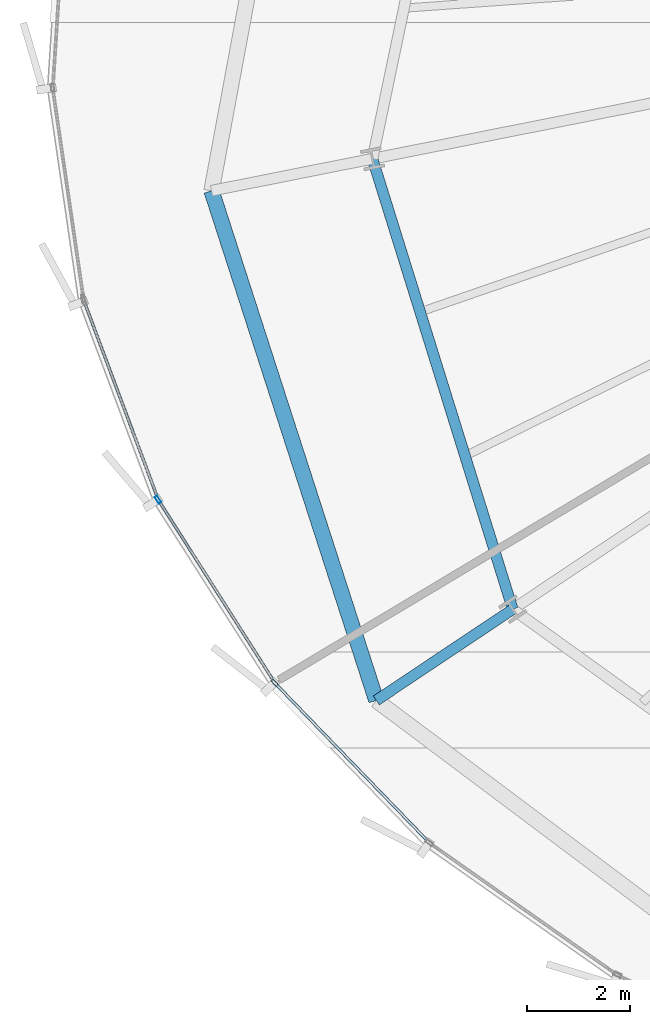
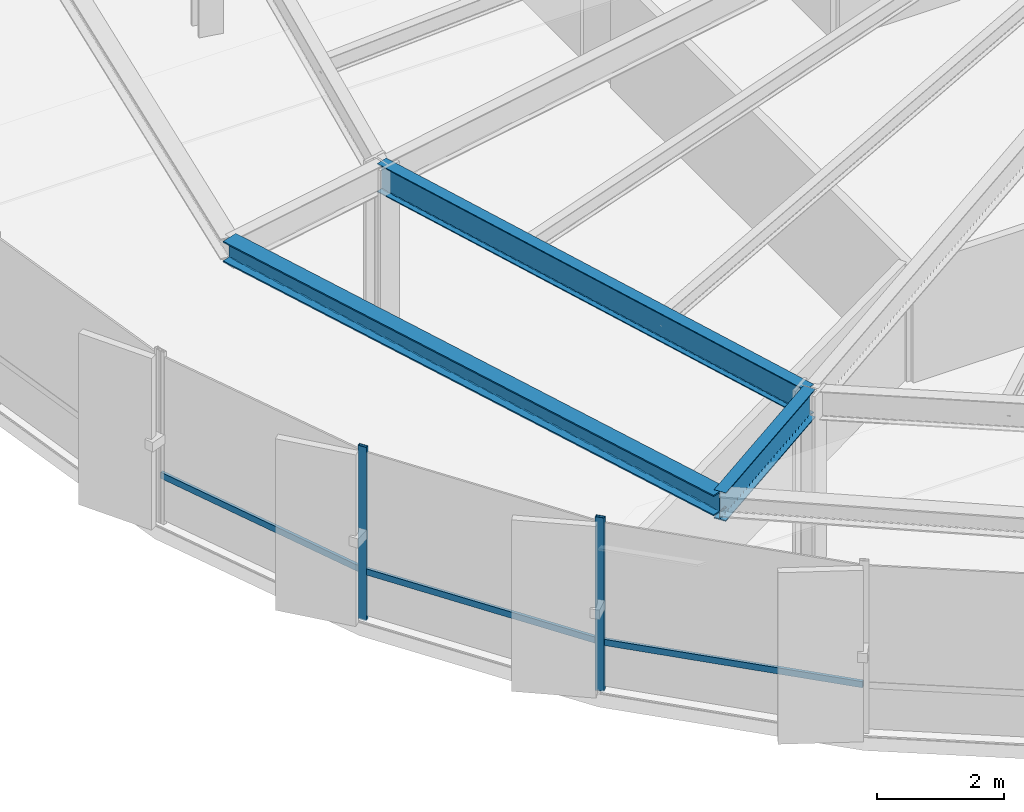
# One storey, part 3 of 35: 5 members, 3 beams, 1 element without a shape of its own.
"""IFC4 building model written with IfcOpenShell, lengths in metres."""

from ifc_helpers import new_model, si_unit, direction, frame, origin, origin_2d, place, context, subcontext, project, spatial, hollow_rectangle, i_section, extrude, source, transform, mapped, material, layer, layer_set, material_profile, profile_set, type_object, element, aggregate, save


model = new_model("IFC4")

# Units and contexts
model_context = context("Model", 3, precision=1e-05, world=origin(), true_north=direction((0.0, 1.0)))
body_context = subcontext(model_context, "Body", "Model", "MODEL_VIEW")
ifc_project = project(units=[si_unit("LENGTHUNIT", "METRE"), si_unit("AREAUNIT", "SQUARE_METRE"), si_unit("VOLUMEUNIT", "CUBIC_METRE"), si_unit("PLANEANGLEUNIT", "RADIAN"), si_unit("MASSUNIT", "GRAM", prefix="KILO"), si_unit("THERMODYNAMICTEMPERATUREUNIT", "KELVIN")], contexts=[model_context])

# Site, building, storey
site_placement = place(None, origin())
site = spatial("IfcSite", under=ifc_project, at=site_placement, CompositionType="ELEMENT")
building_placement = place(site_placement, origin())
building = spatial("IfcBuilding", under=site, at=building_placement, Name="Kethvar Cultural Tower", CompositionType="ELEMENT")
storey_placement = place(building_placement, frame((0.0, 0.0, 92.800048828125)))
storey = spatial("IfcBuildingStorey", under=building, at=storey_placement, Name="L22", CompositionType="ELEMENT", Elevation=92.800048828125)

# Beams
ifc_material_1 = material(Name="Steel S355J2", Category="steel")
ifc_material_profile_1 = material_profile(ifc_material_1, i_section(OverallWidth=0.2099609375, OverallDepth=0.550048828125, WebThickness=0.010986328125, FlangeThickness=0.01708984375, FilletRadius=0.02392578125, at=origin_2d()), Name="Steel S355J2 — IPE550")
ifc_profile_set_1 = profile_set([ifc_material_profile_1], Name="Steel S355J2 — IPE550")
beam_type_1 = type_object("IfcBeamType", Name="BM-IPE550", PredefinedType="BEAM", material=ifc_profile_set_1)
shared_shape_1 = source(origin(), body_context, "Body", "SweptSolid", [
    extrude(i_section(OverallWidth=0.2099609375, OverallDepth=0.550048828125, WebThickness=0.010986328125, FlangeThickness=0.01708984375, FilletRadius=0.02392578125, at=origin_2d()), origin(), (0.0, 0.0, 1.0), 3.199951171875),
])
beam_1_placement = place(storey_placement, frame((26.920654296875, 14.51708984375, 3.072998046875), z_axis=(-0.831462943996, -0.555580212716, 0.0), x_axis=(0.555580212716, -0.831462943996, 0.0)))
element("IfcBeam", 1, at=beam_1_placement, inside=storey, type_object=beam_type_1, Name="L22 Perimeter Cantilever Beam RC-10", PredefinedType="BEAM", context=body_context, shape_type="MappedRepresentation", body=[
    mapped(shared_shape_1, transform((0.0, 0.0, 0.0), scale=1.0)),
])
shared_shape_2 = source(origin(), body_context, "Body", "SweptSolid", [
    extrude(i_section(OverallWidth=0.2099609375, OverallDepth=0.550048828125, WebThickness=0.010986328125, FlangeThickness=0.01708984375, FilletRadius=0.02392578125, at=origin_2d()), origin(), (0.0, 0.0, 1.0), 9.20068359375),
])
beam_2_placement = place(storey_placement, frame((24.185302734375, 23.3017578125, 3.072998046875), z_axis=(0.297298800285, -0.954784490526, 0.0), x_axis=(0.954784490526, 0.297298800285, 0.0)))
element("IfcBeam", 2, at=beam_2_placement, inside=storey, type_object=beam_type_1, Name="L22 Column Ring Tie Beam CR-09", PredefinedType="BEAM", context=body_context, shape_type="MappedRepresentation", body=[
    mapped(shared_shape_2, transform((0.0, 0.0, 0.0), scale=1.0)),
])
ifc_material_profile_2 = material_profile(ifc_material_1, i_section(OverallWidth=0.300048828125, OverallDepth=0.39990234375, WebThickness=0.013427734375, FlangeThickness=0.02392578125, FilletRadius=0.027099609375, at=origin_2d()), Name="Steel S355J2 — HEB400")
ifc_profile_set_2 = profile_set([ifc_material_profile_2], Name="Steel S355J2 — HEB400")
beam_type_2 = type_object("IfcBeamType", Name="BM-SP400", PredefinedType="SPANDREL", material=ifc_profile_set_2)
shared_shape_3 = source(origin(), body_context, "Body", "SweptSolid", [
    extrude(i_section(OverallWidth=0.300048828125, OverallDepth=0.39990234375, WebThickness=0.013427734375, FlangeThickness=0.02392578125, FilletRadius=0.027099609375, at=origin_2d()), origin(), (0.0, 0.0, 1.0), 10.44482421875),
])
beam_3_placement = place(storey_placement, frame((21.046875, 22.677490234375, 3.14794921875), z_axis=(0.307631709258, -0.951505507845, 0.0), x_axis=(0.951505507845, 0.307631709258, 0.0)))
element("IfcBeam", 3, at=beam_3_placement, inside=storey, type_object=beam_type_2, Name="L22 Perimeter Spandrel Beam SP-09", PredefinedType="SPANDREL", context=body_context, shape_type="MappedRepresentation", body=[
    mapped(shared_shape_3, transform((0.0, 0.0, 0.0), scale=1.0)),
])

# Curtain wall, members
ifc_material_2 = material(Name="Aluminium 6063-T6", Category="aluminium")
ifc_layer = layer(ifc_material_2, 0.179931640625, Name="Aluminium 6063-T6", Category="aluminium")
ifc_layer_set = layer_set([ifc_layer], Name="Aluminium 6063-T6 (180 mm)")
curtain_wall_type = type_object("IfcCurtainWallType", Name="CW-SYS-03-Z2", PredefinedType="NOTDEFINED", material=ifc_layer_set)
curtain_wall_placement = place(storey_placement, origin())
curtain_wall = element("IfcCurtainWall", 4, at=curtain_wall_placement, inside=storey, type_object=curtain_wall_type, Name="L22 Curtain Wall Run 04", PredefinedType="NOTDEFINED")
ifc_material_profile_3 = material_profile(ifc_material_2, hollow_rectangle(XDim=0.06005859375, YDim=0.14990234375, WallThickness=0.0048828125, at=origin_2d()), Name="Aluminium 6063-T6 — RHS150x60x5")
ifc_profile_set_3 = profile_set([ifc_material_profile_3], Name="Aluminium 6063-T6 — RHS150x60x5")
member_type_1 = type_object("IfcMemberType", Name="CW-SYS-03-Z2-MUL", PredefinedType="MULLION", material=ifc_profile_set_3)
shared_shape_4 = source(origin(), body_context, "Body", "SweptSolid", [
    extrude(hollow_rectangle(XDim=0.06005859375, YDim=0.14990234375, WallThickness=0.0048828125, at=origin_2d()), origin(), (0.0, 0.0, 1.0), 3.349853515625),
])
member_1_placement = place(storey_placement, frame((20.00537109375, 16.654052734375, 0.0), z_axis=(0.0, 0.0, 1.0), x_axis=(0.843391445813, 0.537299608347, 0.0)))
member_1 = element("IfcMember", 5, at=member_1_placement, type_object=member_type_1, Name="CW-L22-R04 Mullion 2", PredefinedType="MULLION", context=body_context, shape_type="MappedRepresentation", body=[
    mapped(shared_shape_4, transform((0.0, 0.0, 0.0), scale=1.0)),
])
member_2_placement = place(storey_placement, frame((22.275390625, 13.08642578125, 0.0), z_axis=(0.0, 0.0, 1.0), x_axis=(0.718951717744, 0.695060017231, 0.0)))
member_2 = element("IfcMember", 6, at=member_2_placement, type_object=member_type_1, Name="CW-L22-R04 Mullion 3", PredefinedType="MULLION", context=body_context, shape_type="MappedRepresentation", body=[
    mapped(shared_shape_4, transform((0.0, 0.0, 0.0), scale=1.0)),
])
ifc_material_profile_4 = material_profile(ifc_material_2, hollow_rectangle(XDim=0.054931640625, YDim=0.1201171875, WallThickness=0.00390625, at=origin_2d()), Name="Aluminium 6063-T6 — RHS120x55x4")
ifc_profile_set_4 = profile_set([ifc_material_profile_4], Name="Aluminium 6063-T6 — RHS120x55x4")
member_type_2 = type_object("IfcMemberType", Name="CW-SYS-03-Z2-TRN", PredefinedType="USERDEFINED", material=ifc_profile_set_4)
shared_shape_5 = source(origin(), body_context, "Body", "SweptSolid", [
    extrude(hollow_rectangle(XDim=0.054931640625, YDim=0.1201171875, WallThickness=0.00390625, at=origin_2d()), origin(), (0.0, 0.0, 1.0), 4.276123046875),
])
member_3_placement = place(storey_placement, frame((22.305419921875, 13.055419921875, 0.949951171875), z_axis=(0.695073254213, -0.718938920408, 0.0), x_axis=(0.718938920408, 0.695073254213, 0.0)))
member_3 = element("IfcMember", 7, at=member_3_placement, type_object=member_type_2, Name="CW-L22-R04 Transom 3", ObjectType="TRANSOM", PredefinedType="USERDEFINED", context=body_context, shape_type="MappedRepresentation", body=[
    mapped(shared_shape_5, transform((0.0, 0.0, 0.0), scale=1.0)),
])
shared_shape_6 = source(origin(), body_context, "Body", "SweptSolid", [
    extrude(hollow_rectangle(XDim=0.054931640625, YDim=0.1201171875, WallThickness=0.00390625, at=origin_2d()), origin(), (0.0, 0.0, 1.0), 4.165283203125),
])
member_4_placement = place(storey_placement, frame((20.028564453125, 16.61767578125, 0.949951171875), z_axis=(0.537307780702, -0.843386239393, 0.0), x_axis=(0.843386239393, 0.537307780702, 0.0)))
member_4 = element("IfcMember", 8, at=member_4_placement, type_object=member_type_2, Name="CW-L22-R04 Transom 2", ObjectType="TRANSOM", PredefinedType="USERDEFINED", context=body_context, shape_type="MappedRepresentation", body=[
    mapped(shared_shape_6, transform((0.0, 0.0, 0.0), scale=1.0)),
])
shared_shape_7 = source(origin(), body_context, "Body", "SweptSolid", [
    extrude(hollow_rectangle(XDim=0.054931640625, YDim=0.1201171875, WallThickness=0.00390625, at=origin_2d()), origin(), (0.0, 0.0, 1.0), 4.105224609375),
])
member_5_placement = place(storey_placement, frame((18.563720703125, 20.5185546875, 0.949951171875), z_axis=(0.350100021687, -0.936712322335, 0.0), x_axis=(0.936712322335, 0.350100021687, 0.0)))
member_5 = element("IfcMember", 9, at=member_5_placement, type_object=member_type_2, Name="CW-L22-R04 Transom 1", ObjectType="TRANSOM", PredefinedType="USERDEFINED", context=body_context, shape_type="MappedRepresentation", body=[
    mapped(shared_shape_7, transform((0.0, 0.0, 0.0), scale=1.0)),
])
aggregate(curtain_wall, [member_1, member_2, member_5, member_4, member_3])

save(model, "model.ifc")
